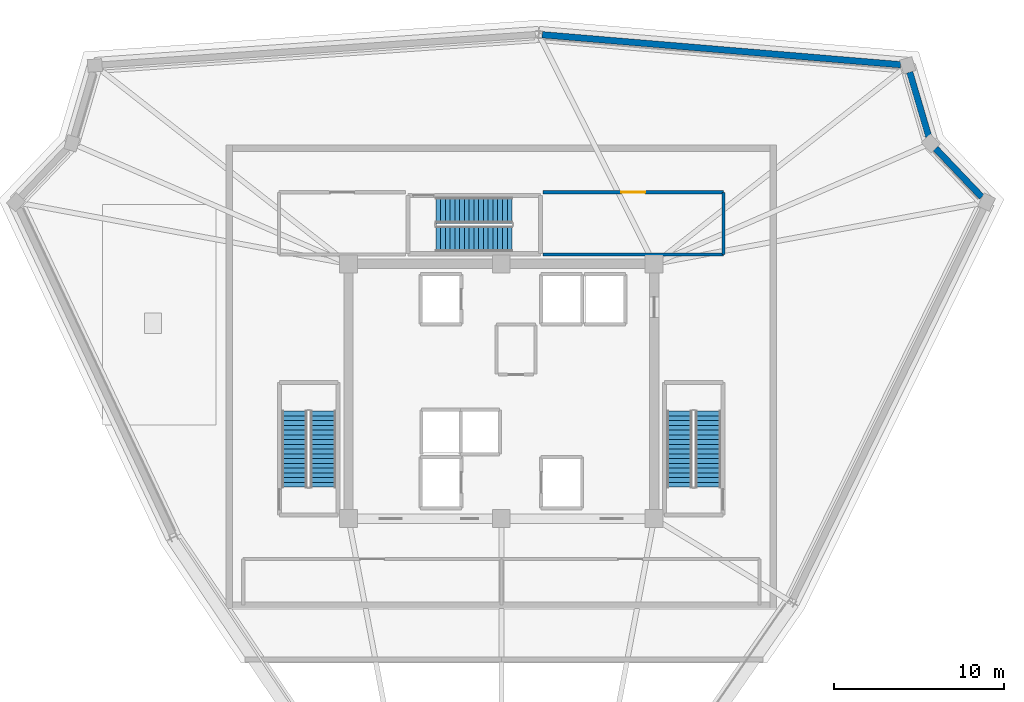
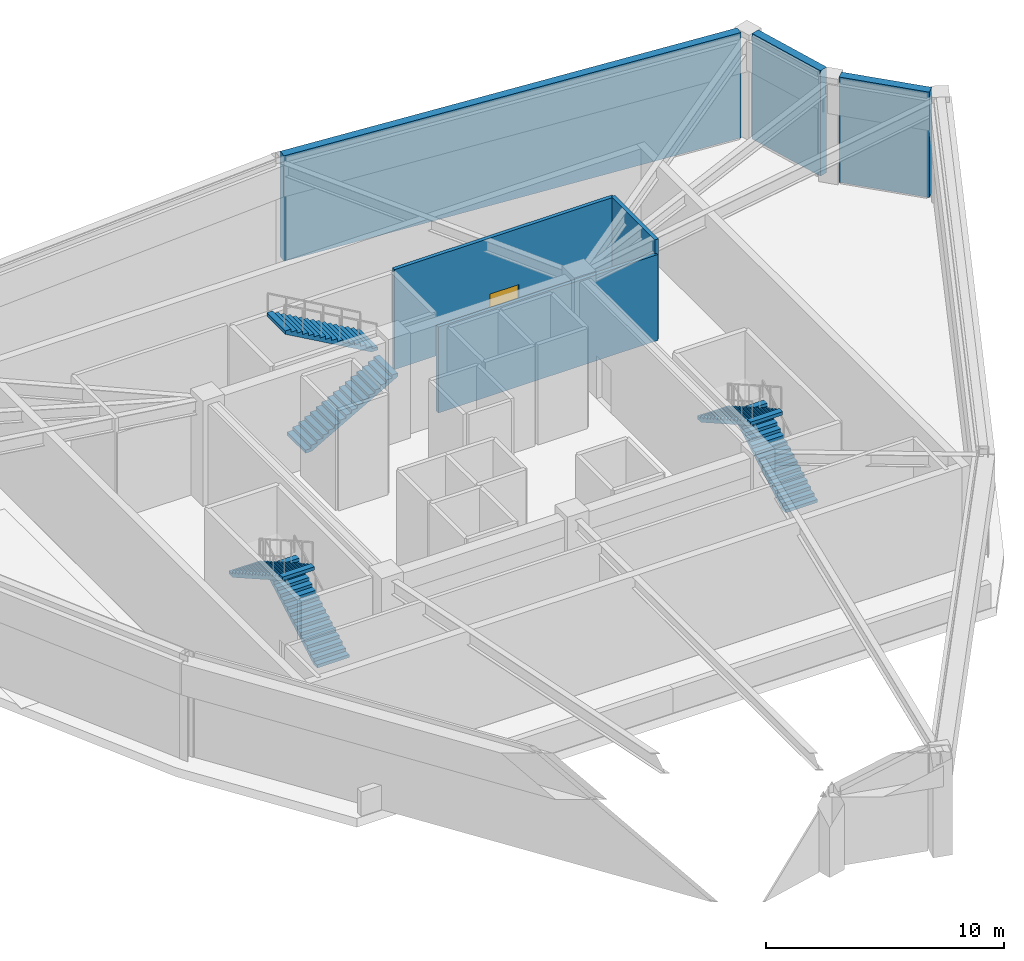
# One storey, part 6 of 8: 6 stair flights, 6 walls, 1 door, 1 opening, 3 elements without a shape of their own.
"""IFC4 building model written with IfcOpenShell, lengths in metres."""

import ifcopenshell
import ifcopenshell.guid

model = None  # the IFC model being written
_history = None  # IfcOwnerHistory: only IFC2X3 demands one
_inside = {}  # id of a spatial element -> (the spatial element, [elements in it])
_under = {}  # id of a project, library or spatial element -> (it, [spatial elements below it])
_declared = {}  # id of a project -> (the project, [libraries it declares])
_typed = {}  # id of a type object -> (the type object, [elements of that type])
_made_of = {}  # id of a material, layer set ... -> (it, [elements and type objects made of it])


def new_model(schema):
    """Start an empty IFC model of exactly this schema.

    Asked for "IFC4X3", IfcOpenShell would pick the latest addendum, in which some entities
    have other attributes; the version numbers below select the first issue.
    IFC2X3 requires an IfcOwnerHistory on every rooted entity: one is made here for all.
    """
    global model, _history
    if schema == "IFC4X3":
        model = ifcopenshell.file(schema_version=(4, 3, 0, 0))
    else:
        model = ifcopenshell.file(schema=schema)
    _inside.clear()
    _under.clear()
    _declared.clear()
    _typed.clear()
    _made_of.clear()
    _history = None
    if model.schema == "IFC2X3":
        org = make("IfcOrganization", Name="unknown")
        user = make(
            "IfcPersonAndOrganization",
            ThePerson=make("IfcPerson", FamilyName="unknown"),
            TheOrganization=org,
        )
        app = make(
            "IfcApplication",
            ApplicationDeveloper=org,
            Version="unknown",
            ApplicationFullName="unknown",
            ApplicationIdentifier="unknown",
        )
        _history = make(
            "IfcOwnerHistory",
            OwningUser=user,
            OwningApplication=app,
            ChangeAction="ADDED",
            CreationDate=0,
        )
    return model


def make(cls, **values):
    """One entity of the class cls with the attributes given. An attribute that is None is left unset."""
    return model.create_entity(
        cls, **{name: value for name, value in values.items() if value is not None}
    )


def rooted(cls, **values):
    """An entity with a GlobalId (a new one), such as an element, a storey or a relation."""
    return make(cls, GlobalId=ifcopenshell.guid.new(), OwnerHistory=_history, **values)


def si_unit(unit_type, name, prefix=None):
    """IfcSIUnit, for example si_unit("LENGTHUNIT", "METRE", prefix="MILLI")."""
    return make("IfcSIUnit", UnitType=unit_type, Prefix=prefix, Name=name)


def assignment(units):
    """IfcUnitAssignment: the units of a project."""
    return None if units is None else make("IfcUnitAssignment", Units=units)


def point(xyz):
    """IfcCartesianPoint."""
    return None if xyz is None else make("IfcCartesianPoint", Coordinates=xyz)


def direction(xyz):
    """IfcDirection."""
    return None if xyz is None else make("IfcDirection", DirectionRatios=xyz)


def frame(location, z_axis=None, x_axis=None):
    """IfcAxis2Placement3D, a coordinate frame: its origin and axes. An axis left out is left unset."""
    return make(
        "IfcAxis2Placement3D",
        Location=point(location),
        Axis=direction(z_axis),
        RefDirection=direction(x_axis),
    )


def frame_2d(location, x_axis=None):
    """IfcAxis2Placement2D, a coordinate frame in the plane: its origin and x axis."""
    return make(
        "IfcAxis2Placement2D", Location=point(location), RefDirection=direction(x_axis)
    )


def origin():
    """The frame at (0, 0, 0) with its axes left unset."""
    return frame((0.0, 0.0, 0.0))


def place(relative_to, where):
    """IfcLocalPlacement: puts the frame where relative to a parent placement (None: the world)."""
    return make(
        "IfcLocalPlacement", PlacementRelTo=relative_to, RelativePlacement=where
    )


def context(
    kind, dimensions, precision=None, world=None, true_north=None, identifier=None
):
    """IfcGeometricRepresentationContext, for example the 3D "Model" context."""
    return make(
        "IfcGeometricRepresentationContext",
        ContextIdentifier=identifier,
        ContextType=kind,
        CoordinateSpaceDimension=dimensions,
        Precision=precision,
        WorldCoordinateSystem=world,
        TrueNorth=true_north,
    )


def subcontext(parent, identifier, kind, view, scale=None):
    """IfcGeometricRepresentationSubContext, for example "Body" below "Model"."""
    return make(
        "IfcGeometricRepresentationSubContext",
        ContextIdentifier=identifier,
        ContextType=kind,
        ParentContext=parent,
        TargetScale=scale,
        TargetView=view,
    )


def project(units=None, contexts=None):
    """IfcProject with its units and contexts."""
    return rooted(
        "IfcProject",
        Name="project",
        RepresentationContexts=contexts,
        UnitsInContext=assignment(units),
    )


def spatial(cls, under=None, at=None, **own):
    """A site, building, storey or space (cls), placed at a placement, below another one or the project."""
    s = rooted(cls, ObjectPlacement=at, **own)
    if under is not None:
        _under.setdefault(under.id(), (under, []))[1].append(s)
    return s


def polyline(points):
    """IfcPolyline through the points."""
    return make("IfcPolyline", Points=[point(p) for p in points])


def profile(cls, at=None, kind="AREA", **sizes):
    """A parametric profile (cls). Its sizes go by their IFC names, for example OverallWidth=200.0."""
    return make(cls, ProfileType=kind, Position=at, **sizes)


def rectangle(**sizes):
    """IfcRectangleProfileDef."""
    return profile("IfcRectangleProfileDef", **sizes)


def outline(outer, holes=None, kind="AREA"):
    """IfcArbitraryClosedProfileDef: a profile drawn as a closed curve; with holes, ...WithVoids."""
    if holes is None:
        return make("IfcArbitraryClosedProfileDef", ProfileType=kind, OuterCurve=outer)
    return make(
        "IfcArbitraryProfileDefWithVoids",
        ProfileType=kind,
        OuterCurve=outer,
        InnerCurves=holes,
    )


def extrude(swept, where, along, depth):
    """IfcExtrudedAreaSolid: the profile swept, set in the frame where, extruded along a direction by depth."""
    return make(
        "IfcExtrudedAreaSolid",
        SweptArea=swept,
        Position=where,
        ExtrudedDirection=direction(along),
        Depth=depth,
    )


def shape(context_of_items, identifier, shape_type, items):
    """IfcShapeRepresentation: the items that make up one representation, for example the "Body"."""
    return make(
        "IfcShapeRepresentation",
        ContextOfItems=context_of_items,
        RepresentationIdentifier=identifier,
        RepresentationType=shape_type,
        Items=items,
    )


def source(mapping_origin, context_of_items, identifier, shape_type, items):
    """IfcRepresentationMap: a shape defined once, which mapped items show again and again."""
    return make(
        "IfcRepresentationMap",
        MappingOrigin=mapping_origin,
        MappedRepresentation=shape(context_of_items, identifier, shape_type, items),
    )


def transform(
    local_origin,
    x_axis=None,
    y_axis=None,
    z_axis=None,
    scale=None,
    scale2=None,
    scale3=None,
    uniform=True,
):
    """IfcCartesianTransformationOperator3D, or its non-uniform kind. x_axis, y_axis, z_axis: its Axis1, 2, 3."""
    if uniform:
        return make(
            "IfcCartesianTransformationOperator3D",
            Axis1=direction(x_axis),
            Axis2=direction(y_axis),
            LocalOrigin=point(local_origin),
            Scale=scale,
            Axis3=direction(z_axis),
        )
    return make(
        "IfcCartesianTransformationOperator3DnonUniform",
        Axis1=direction(x_axis),
        Axis2=direction(y_axis),
        LocalOrigin=point(local_origin),
        Scale=scale,
        Axis3=direction(z_axis),
        Scale2=scale2,
        Scale3=scale3,
    )


def mapped(mapping_source, mapping_target):
    """IfcMappedItem: shows the shape of a source again, moved by a transform."""
    return make(
        "IfcMappedItem", MappingSource=mapping_source, MappingTarget=mapping_target
    )


def material(Name=None, Category=None):
    """IfcMaterial."""
    return make("IfcMaterial", Name=Name, Category=Category)


def layer(
    of_material, thickness, ventilated=None, Name=None, Category=None, Priority=None
):
    """IfcMaterialLayer: one layer of a wall or slab, of a material (None: an air gap)."""
    return make(
        "IfcMaterialLayer",
        Material=of_material,
        LayerThickness=thickness,
        IsVentilated=ventilated,
        Name=Name,
        Category=Category,
        Priority=Priority,
    )


def layer_set(layers, Name=None):
    """IfcMaterialLayerSet."""
    return make("IfcMaterialLayerSet", MaterialLayers=layers, LayerSetName=Name)


def made_of(thing, what):
    """Note that an element or type object is made of a material, layer set ...; save() writes the relation."""
    if what is not None:
        _made_of.setdefault(what.id(), (what, []))[1].append(thing)
    return thing


def type_object(cls, material=None, **own):
    """A type object (cls), such as IfcWallType, which elements share."""
    return made_of(rooted(cls, **own), material)


def element(
    cls,
    number,
    at=None,
    inside=None,
    cuts=None,
    type_object=None,
    material=None,
    context=None,
    identifier="Body",
    shape_type=None,
    held_by="IfcProductDefinitionShape",
    body=None,
    shapes=None,
    **own,
):
    """One element of the class cls, such as IfcWall. Its Tag is "e" and its number.

    at: its placement. inside: the storey or other place that contains it. cuts: it is an
    opening in that element (IfcRelVoidsElement). A single representation is given by context,
    identifier, shape_type and body (its items); several are given by shapes. held_by: the class
    of the entity that holds the representations. save() writes the other relations.
    """
    e = rooted(cls, Tag="e%d" % number, ObjectPlacement=at, **own)
    if body is not None:
        shapes = [shape(context, identifier, shape_type, body)]
    if shapes is not None:
        e.Representation = make(held_by, Representations=shapes)
    if inside is not None:
        _inside.setdefault(inside.id(), (inside, []))[1].append(e)
    if cuts is not None:
        rooted(
            "IfcRelVoidsElement", RelatingBuildingElement=cuts, RelatedOpeningElement=e
        )
    if type_object is not None:
        _typed.setdefault(type_object.id(), (type_object, []))[1].append(e)
    return made_of(e, material)


def fill(opening, filler):
    """IfcRelFillsElement: the door or window that sits in an opening."""
    return rooted(
        "IfcRelFillsElement",
        RelatingOpeningElement=opening,
        RelatedBuildingElement=filler,
    )


def aggregate(whole, parts):
    """IfcRelAggregates: a whole, such as a stair, and the parts it consists of."""
    return rooted("IfcRelAggregates", RelatingObject=whole, RelatedObjects=parts)


def save(model, path):
    """Write the relations noted so far, then the file.

    IfcRelAggregates (storeys below a building ...), IfcRelContainedInSpatialStructure (elements
    in a storey), IfcRelDefinesByType, IfcRelAssociatesMaterial and IfcRelDeclares: one each for
    every whole, place, type object, material and project.
    """
    for whole, parts in _under.values():
        aggregate(whole, parts)
    for where, things in _inside.values():
        rooted(
            "IfcRelContainedInSpatialStructure",
            RelatedElements=things,
            RelatingStructure=where,
        )
    for kind, things in _typed.values():
        rooted("IfcRelDefinesByType", RelatedObjects=things, RelatingType=kind)
    for what, things in _made_of.values():
        rooted("IfcRelAssociatesMaterial", RelatedObjects=things, RelatingMaterial=what)
    for by, libraries in _declared.values():
        rooted("IfcRelDeclares", RelatingContext=by, RelatedDefinitions=libraries)
    model.write(path)


model = new_model("IFC4")

# Units and contexts
model_context = context("Model", 3, precision=1e-05, world=origin(), true_north=direction((0.0, 1.0)))
body_context = subcontext(model_context, "Body", "Model", "MODEL_VIEW")
ifc_project = project(units=[si_unit("LENGTHUNIT", "METRE"), si_unit("AREAUNIT", "SQUARE_METRE"), si_unit("VOLUMEUNIT", "CUBIC_METRE"), si_unit("PLANEANGLEUNIT", "RADIAN"), si_unit("MASSUNIT", "GRAM", prefix="KILO")], contexts=[model_context])

# Site, building, storey
site_placement = place(None, origin())
site = spatial("IfcSite", under=ifc_project, at=site_placement, CompositionType="ELEMENT")
building_placement = place(site_placement, origin())
building = spatial("IfcBuilding", under=site, at=building_placement, Name="Liaohun Quay Tower", CompositionType="ELEMENT")
storey_placement = place(building_placement, frame((0.0, 0.0, 360.60009765625)))
storey = spatial("IfcBuildingStorey", under=building, at=storey_placement, Name="L93", CompositionType="ELEMENT", Elevation=360.60009765625)

# Walls
ifc_material_1 = material(Name="Precast concrete C50 insulated sandwich", Category="concrete")
ifc_layer_1 = layer(ifc_material_1, 0.3798828125, Name="Precast concrete C50 insulated sandwich", Category="concrete")
ifc_layer_set_1 = layer_set([ifc_layer_1], Name="Precast concrete C50 insulated sandwich")
wall_type_1 = type_object("IfcWallType", Name="WAL-EXT-Z34", PredefinedType="SOLIDWALL", material=ifc_layer_set_1)
wall_1_placement = place(storey_placement, frame((88.297119140625, 65.43798828125, 0.0), z_axis=(0.0, 0.0, 1.0), x_axis=(-0.689429800436, 0.724352504152, 0.0)))
element("IfcWall", 1, at=wall_1_placement, inside=storey, type_object=wall_type_1, Name="L93 Crown Precast Enclosure Wall 04", PredefinedType="SOLIDWALL", context=body_context, shape_type="SweptSolid", body=[
    extrude(rectangle(XDim=3.949951171875, YDim=0.3798828125, at=frame_2d((1.97509765625, 0.0))), origin(), (0.0, 0.0, 1.0), 5.39990234375),
])
wall_2_placement = place(storey_placement, frame((85.1708984375, 68.998046875, 0.0), z_axis=(0.0, 0.0, 1.0), x_axis=(-0.282830565061, 0.959169886656, 0.0)))
element("IfcWall", 2, at=wall_2_placement, inside=storey, type_object=wall_type_1, Name="L93 Crown Precast Enclosure Wall 05", PredefinedType="SOLIDWALL", context=body_context, shape_type="SweptSolid", body=[
    extrude(rectangle(XDim=3.95947265625, YDim=0.3798828125, at=frame_2d((1.979736328125, 0.0))), origin(), (0.0, 0.0, 1.0), 5.39990234375),
])
wall_3_placement = place(storey_placement, frame((83.52001953125, 73.22900390625, 0.0), z_axis=(0.0, 0.0, 1.0), x_axis=(-0.996514770926, 0.083416493136, 0.0)))
element("IfcWall", 3, at=wall_3_placement, inside=storey, type_object=wall_type_1, Name="L93 Crown Precast Enclosure Wall 06", PredefinedType="SOLIDWALL", context=body_context, shape_type="SweptSolid", body=[
    extrude(rectangle(XDim=21.183837890625, YDim=0.3798828125, at=frame_2d((10.591796875, 0.0))), origin(), (0.0, 0.0, 1.0), 5.39990234375),
])

# Wall, opening, door
ifc_material_2 = material(Name="Autoclaved aerated concrete blockwork", Category="masonry")
ifc_layer_2 = layer(ifc_material_2, 0.179931640625, Name="Autoclaved aerated concrete blockwork", Category="masonry")
ifc_layer_set_2 = layer_set([ifc_layer_2], Name="Autoclaved aerated concrete blockwork")
wall_type_2 = type_object("IfcWallType", Name="WAL-PRT-COR", PredefinedType="PARTITIONING", material=ifc_layer_set_2)
wall_4_placement = place(storey_placement, frame((62.449951171875, 65.719970703125, 0.0), z_axis=(0.0, 0.0, 1.0), x_axis=(1.0, 0.0, 0.0)))
wall_4 = element("IfcWall", 4, at=wall_4_placement, inside=storey, type_object=wall_type_2, Name="L93 Interior Partition Wall 005", PredefinedType="PARTITIONING", context=body_context, shape_type="SweptSolid", body=[
    extrude(rectangle(XDim=10.630126953125, YDim=0.179931640625, at=frame_2d((5.31494140625, 0.0))), origin(), (0.0, 0.0, 1.0), 5.119873046875),
])
shared_shape_1 = source(origin(), body_context, "Body", "SweptSolid", [
    extrude(rectangle(XDim=1.39990234375, YDim=2.25, at=frame_2d((0.699951171875, 1.125))), frame((0.0, 0.099853515625, 0.0), z_axis=(0.0, -1.0, 0.0), x_axis=(1.0, 0.0, 0.0)), (0.0, 0.0, 1.0), 0.199951171875),
])
opening_placement = place(wall_4_placement, frame((4.614990234375, 0.0, 0.0)))
opening = element("IfcOpeningElement", 5, at=opening_placement, cuts=wall_4, Name="Opening MD1", PredefinedType="OPENING", context=body_context, shape_type="MappedRepresentation", body=[
    mapped(shared_shape_1, transform((0.0, 0.0, 0.0), x_axis=(1.0, 0.0, 0.0), y_axis=(0.0, 1.0, 0.0), z_axis=(0.0, 0.0, 1.0), scale=1.0)),
])
ifc_material_3 = material(Name="Insulated steel plant room door", Category="steel")
door_type = type_object("IfcDoorType", Name="DOR-MEP-1400", OperationType="DOUBLE_DOOR_SINGLE_SWING", PredefinedType="DOOR", material=ifc_material_3)
shared_shape_2 = source(origin(), body_context, "Body", "SweptSolid", [
    extrude(rectangle(XDim=1.39990234375, YDim=2.25, at=frame_2d((0.699951171875, 1.125))), frame((0.0, 0.02490234375, 0.0), z_axis=(0.0, -1.0, 0.0), x_axis=(1.0, 0.0, 0.0)), (0.0, 0.0, 1.0), 0.050048828125),
])
door_placement = place(opening_placement, origin())
door = element("IfcDoor", 6, at=door_placement, inside=storey, type_object=door_type, Name="L93 Crown Transformer and Switchgear Room Door", OperationType="DOUBLE_DOOR_SINGLE_SWING", OverallHeight=2.25, OverallWidth=1.39990234375, PredefinedType="DOOR", context=body_context, shape_type="MappedRepresentation", body=[
    mapped(shared_shape_2, transform((0.0, 0.0, 0.0), x_axis=(1.0, 0.0, 0.0), y_axis=(0.0, 1.0, 0.0), z_axis=(0.0, 0.0, 1.0), scale=1.0)),
])
fill(opening, door)

# Walls
wall_5_placement = place(storey_placement, frame((62.449951171875, 62.050048828125, 0.0), z_axis=(0.0, 0.0, 1.0), x_axis=(1.0, 0.0, 0.0)))
element("IfcWall", 7, at=wall_5_placement, inside=storey, type_object=wall_type_2, Name="L93 Interior Partition Wall 011", PredefinedType="PARTITIONING", context=body_context, shape_type="SweptSolid", body=[
    extrude(rectangle(XDim=10.630126953125, YDim=0.179931640625, at=frame_2d((5.31494140625, 0.0))), origin(), (0.0, 0.0, 1.0), 4.40478515625),
])
wall_6_placement = place(storey_placement, frame((73.080078125, 62.050048828125, 0.0), z_axis=(0.0, 0.0, 1.0), x_axis=(0.0, 1.0, 0.0)))
element("IfcWall", 8, at=wall_6_placement, inside=storey, type_object=wall_type_2, Name="L93 Interior Partition Wall 015", PredefinedType="PARTITIONING", context=body_context, shape_type="SweptSolid", body=[
    extrude(rectangle(XDim=3.669921875, YDim=0.179931640625, at=frame_2d((1.8349609375, 0.0))), origin(), (0.0, 0.0, 1.0), 5.119873046875),
])

# Stair, stair flights
ifc_material_4 = material(Name="Concrete C45", Category="concrete")
stair_type = type_object("IfcStairType", Name="STR-CORE-CRN", PredefinedType="HALF_TURN_STAIR", material=ifc_material_4)
stair_1_placement = place(storey_placement, origin())
stair_1 = element("IfcStair", 9, at=stair_1_placement, inside=storey, type_object=stair_type, Name="L93 Smokeproof Core Exit Stair ST-1", PredefinedType="HALF_TURN_STAIR")
stair_flight_type = type_object("IfcStairFlightType", Name="FLT-CORE-155", PredefinedType="STRAIGHT", material=ifc_material_4)
stair_flight_1_placement = place(storey_placement, frame((49.5048828125, 48.35009765625, 0.0), z_axis=(0.0, 0.0, 1.0), x_axis=(0.0, 1.0, 0.0)))
stair_flight_1 = element("IfcStairFlight", 10, at=stair_flight_1_placement, type_object=stair_flight_type, Name="ST-1 flight 1", NumberOfRisers=17, NumberOfTreads=16, PredefinedType="STRAIGHT", RiserHeight=0.158823529, TreadLength=0.28, context=body_context, shape_type="SweptSolid", body=[
    extrude(outline(polyline([(0.0, 0.0), (0.0, 0.158935546875), (0.280029296875, 0.158935546875), (0.280029296875, 0.317626953125), (0.56005859375, 0.317626953125), (0.56005859375, 0.4765625), (0.840087890625, 0.4765625), (0.840087890625, 0.63525390625), (1.1201171875, 0.63525390625), (1.1201171875, 0.794189453125), (1.39990234375, 0.794189453125), (1.39990234375, 0.952880859375), (1.679931640625, 0.952880859375), (1.679931640625, 1.11181640625), (1.9599609375, 1.11181640625), (1.9599609375, 1.2705078125), (2.239990234375, 1.2705078125), (2.239990234375, 1.429443359375), (2.52001953125, 1.429443359375), (2.52001953125, 1.588134765625), (2.800048828125, 1.588134765625), (2.800048828125, 1.7470703125), (3.080078125, 1.7470703125), (3.080078125, 1.90576171875), (3.360107421875, 1.90576171875), (3.360107421875, 2.064697265625), (3.639892578125, 2.064697265625), (3.639892578125, 2.2236328125), (3.919921875, 2.2236328125), (3.919921875, 2.38232421875), (4.199951171875, 2.38232421875), (4.199951171875, 2.541259765625), (4.47998046875, 2.541259765625), (4.47998046875, 2.699951171875), (4.47998046875, 2.368896484375), (0.3037109375, 0.0), (0.0, 0.0)])), frame((0.0, 0.77490234375, 0.0), z_axis=(0.0, -1.0, 0.0), x_axis=(1.0, 0.0, 0.0)), (0.0, 0.0, 1.0), 1.550048828125),
])
stair_flight_2_placement = place(storey_placement, frame((47.81494140625, 52.830078125, 2.699951171875), z_axis=(0.0, 0.0, 1.0), x_axis=(0.0, -1.0, 0.0)))
stair_flight_2 = element("IfcStairFlight", 11, at=stair_flight_2_placement, type_object=stair_flight_type, Name="ST-1 flight 2", NumberOfRisers=17, NumberOfTreads=16, PredefinedType="STRAIGHT", RiserHeight=0.158823529, TreadLength=0.28, context=body_context, shape_type="SweptSolid", body=[
    extrude(outline(polyline([(0.0, 0.0), (0.0, 0.158935546875), (0.280029296875, 0.158935546875), (0.280029296875, 0.317626953125), (0.56005859375, 0.317626953125), (0.56005859375, 0.4765625), (0.840087890625, 0.4765625), (0.840087890625, 0.63525390625), (1.1201171875, 0.63525390625), (1.1201171875, 0.794189453125), (1.39990234375, 0.794189453125), (1.39990234375, 0.952880859375), (1.679931640625, 0.952880859375), (1.679931640625, 1.11181640625), (1.9599609375, 1.11181640625), (1.9599609375, 1.2705078125), (2.239990234375, 1.2705078125), (2.239990234375, 1.429443359375), (2.52001953125, 1.429443359375), (2.52001953125, 1.588134765625), (2.800048828125, 1.588134765625), (2.800048828125, 1.7470703125), (3.080078125, 1.7470703125), (3.080078125, 1.90576171875), (3.360107421875, 1.90576171875), (3.360107421875, 2.064697265625), (3.639892578125, 2.064697265625), (3.639892578125, 2.2236328125), (3.919921875, 2.2236328125), (3.919921875, 2.38232421875), (4.199951171875, 2.38232421875), (4.199951171875, 2.541259765625), (4.47998046875, 2.541259765625), (4.47998046875, 2.699951171875), (4.47998046875, 2.368896484375), (0.3037109375, 0.0), (0.0, 0.0)])), frame((0.0, 0.77490234375, 0.0), z_axis=(0.0, -1.0, 0.0), x_axis=(1.0, 0.0, 0.0)), (0.0, 0.0, 1.0), 1.550048828125),
])
aggregate(stair_1, [stair_flight_1, stair_flight_2])

stair_2_placement = place(storey_placement, origin())
stair_2 = element("IfcStair", 12, at=stair_2_placement, inside=storey, type_object=stair_type, Name="L93 Smokeproof Core Exit Stair ST-2", PredefinedType="HALF_TURN_STAIR")
stair_flight_3_placement = place(storey_placement, frame((72.18505859375, 48.35009765625, 0.0), z_axis=(0.0, 0.0, 1.0), x_axis=(0.0, 1.0, 0.0)))
stair_flight_3 = element("IfcStairFlight", 13, at=stair_flight_3_placement, type_object=stair_flight_type, Name="ST-2 flight 1", NumberOfRisers=17, NumberOfTreads=16, PredefinedType="STRAIGHT", RiserHeight=0.158823529, TreadLength=0.28, context=body_context, shape_type="SweptSolid", body=[
    extrude(outline(polyline([(0.0, 0.0), (0.0, 0.158935546875), (0.280029296875, 0.158935546875), (0.280029296875, 0.317626953125), (0.56005859375, 0.317626953125), (0.56005859375, 0.4765625), (0.840087890625, 0.4765625), (0.840087890625, 0.63525390625), (1.1201171875, 0.63525390625), (1.1201171875, 0.794189453125), (1.39990234375, 0.794189453125), (1.39990234375, 0.952880859375), (1.679931640625, 0.952880859375), (1.679931640625, 1.11181640625), (1.9599609375, 1.11181640625), (1.9599609375, 1.2705078125), (2.239990234375, 1.2705078125), (2.239990234375, 1.429443359375), (2.52001953125, 1.429443359375), (2.52001953125, 1.588134765625), (2.800048828125, 1.588134765625), (2.800048828125, 1.7470703125), (3.080078125, 1.7470703125), (3.080078125, 1.90576171875), (3.360107421875, 1.90576171875), (3.360107421875, 2.064697265625), (3.639892578125, 2.064697265625), (3.639892578125, 2.2236328125), (3.919921875, 2.2236328125), (3.919921875, 2.38232421875), (4.199951171875, 2.38232421875), (4.199951171875, 2.541259765625), (4.47998046875, 2.541259765625), (4.47998046875, 2.699951171875), (4.47998046875, 2.368896484375), (0.3037109375, 0.0), (0.0, 0.0)])), frame((0.0, 0.77490234375, 0.0), z_axis=(0.0, -1.0, 0.0), x_axis=(1.0, 0.0, 0.0)), (0.0, 0.0, 1.0), 1.550048828125),
])
stair_flight_4_placement = place(storey_placement, frame((70.4951171875, 52.830078125, 2.699951171875), z_axis=(0.0, 0.0, 1.0), x_axis=(0.0, -1.0, 0.0)))
stair_flight_4 = element("IfcStairFlight", 14, at=stair_flight_4_placement, type_object=stair_flight_type, Name="ST-2 flight 2", NumberOfRisers=17, NumberOfTreads=16, PredefinedType="STRAIGHT", RiserHeight=0.158823529, TreadLength=0.28, context=body_context, shape_type="SweptSolid", body=[
    extrude(outline(polyline([(0.0, 0.0), (0.0, 0.158935546875), (0.280029296875, 0.158935546875), (0.280029296875, 0.317626953125), (0.56005859375, 0.317626953125), (0.56005859375, 0.4765625), (0.840087890625, 0.4765625), (0.840087890625, 0.63525390625), (1.1201171875, 0.63525390625), (1.1201171875, 0.794189453125), (1.39990234375, 0.794189453125), (1.39990234375, 0.952880859375), (1.679931640625, 0.952880859375), (1.679931640625, 1.11181640625), (1.9599609375, 1.11181640625), (1.9599609375, 1.2705078125), (2.239990234375, 1.2705078125), (2.239990234375, 1.429443359375), (2.52001953125, 1.429443359375), (2.52001953125, 1.588134765625), (2.800048828125, 1.588134765625), (2.800048828125, 1.7470703125), (3.080078125, 1.7470703125), (3.080078125, 1.90576171875), (3.360107421875, 1.90576171875), (3.360107421875, 2.064697265625), (3.639892578125, 2.064697265625), (3.639892578125, 2.2236328125), (3.919921875, 2.2236328125), (3.919921875, 2.38232421875), (4.199951171875, 2.38232421875), (4.199951171875, 2.541259765625), (4.47998046875, 2.541259765625), (4.47998046875, 2.699951171875), (4.47998046875, 2.368896484375), (0.3037109375, 0.0), (0.0, 0.0)])), frame((0.0, 0.77490234375, 0.0), z_axis=(0.0, -1.0, 0.0), x_axis=(1.0, 0.0, 0.0)), (0.0, 0.0, 1.0), 1.550048828125),
])
aggregate(stair_2, [stair_flight_3, stair_flight_4])

stair_3_placement = place(storey_placement, origin())
stair_3 = element("IfcStair", 15, at=stair_3_placement, inside=storey, type_object=stair_type, Name="L93 Smokeproof Core Exit Stair ST-3", PredefinedType="HALF_TURN_STAIR")
stair_flight_5_placement = place(storey_placement, frame((56.14990234375, 62.97509765625, 0.0), z_axis=(0.0, 0.0, 1.0), x_axis=(1.0, 0.0, 0.0)))
stair_flight_5 = element("IfcStairFlight", 16, at=stair_flight_5_placement, type_object=stair_flight_type, Name="ST-3 flight 1", NumberOfRisers=17, NumberOfTreads=16, PredefinedType="STRAIGHT", RiserHeight=0.158823529, TreadLength=0.28, context=body_context, shape_type="SweptSolid", body=[
    extrude(outline(polyline([(0.0, 0.0), (0.0, 0.158935546875), (0.280029296875, 0.158935546875), (0.280029296875, 0.317626953125), (0.56005859375, 0.317626953125), (0.56005859375, 0.4765625), (0.840087890625, 0.4765625), (0.840087890625, 0.63525390625), (1.1201171875, 0.63525390625), (1.1201171875, 0.794189453125), (1.39990234375, 0.794189453125), (1.39990234375, 0.952880859375), (1.679931640625, 0.952880859375), (1.679931640625, 1.11181640625), (1.9599609375, 1.11181640625), (1.9599609375, 1.2705078125), (2.239990234375, 1.2705078125), (2.239990234375, 1.429443359375), (2.52001953125, 1.429443359375), (2.52001953125, 1.588134765625), (2.800048828125, 1.588134765625), (2.800048828125, 1.7470703125), (3.080078125, 1.7470703125), (3.080078125, 1.90576171875), (3.360107421875, 1.90576171875), (3.360107421875, 2.064697265625), (3.639892578125, 2.064697265625), (3.639892578125, 2.2236328125), (3.919921875, 2.2236328125), (3.919921875, 2.38232421875), (4.199951171875, 2.38232421875), (4.199951171875, 2.541259765625), (4.47998046875, 2.541259765625), (4.47998046875, 2.699951171875), (4.47998046875, 2.368896484375), (0.3037109375, 0.0), (0.0, 0.0)])), frame((0.0, 0.77490234375, 0.0), z_axis=(0.0, -1.0, 0.0), x_axis=(1.0, 0.0, 0.0)), (0.0, 0.0, 1.0), 1.550048828125),
])
stair_flight_6_placement = place(storey_placement, frame((60.6298828125, 64.6650390625, 2.699951171875), z_axis=(0.0, 0.0, 1.0), x_axis=(-1.0, 0.0, 0.0)))
stair_flight_6 = element("IfcStairFlight", 17, at=stair_flight_6_placement, type_object=stair_flight_type, Name="ST-3 flight 2", NumberOfRisers=17, NumberOfTreads=16, PredefinedType="STRAIGHT", RiserHeight=0.158823529, TreadLength=0.28, context=body_context, shape_type="SweptSolid", body=[
    extrude(outline(polyline([(0.0, 0.0), (0.0, 0.158935546875), (0.280029296875, 0.158935546875), (0.280029296875, 0.317626953125), (0.56005859375, 0.317626953125), (0.56005859375, 0.4765625), (0.840087890625, 0.4765625), (0.840087890625, 0.63525390625), (1.1201171875, 0.63525390625), (1.1201171875, 0.794189453125), (1.39990234375, 0.794189453125), (1.39990234375, 0.952880859375), (1.679931640625, 0.952880859375), (1.679931640625, 1.11181640625), (1.9599609375, 1.11181640625), (1.9599609375, 1.2705078125), (2.239990234375, 1.2705078125), (2.239990234375, 1.429443359375), (2.52001953125, 1.429443359375), (2.52001953125, 1.588134765625), (2.800048828125, 1.588134765625), (2.800048828125, 1.7470703125), (3.080078125, 1.7470703125), (3.080078125, 1.90576171875), (3.360107421875, 1.90576171875), (3.360107421875, 2.064697265625), (3.639892578125, 2.064697265625), (3.639892578125, 2.2236328125), (3.919921875, 2.2236328125), (3.919921875, 2.38232421875), (4.199951171875, 2.38232421875), (4.199951171875, 2.541259765625), (4.47998046875, 2.541259765625), (4.47998046875, 2.699951171875), (4.47998046875, 2.368896484375), (0.3037109375, 0.0), (0.0, 0.0)])), frame((0.0, 0.77490234375, 0.0), z_axis=(0.0, -1.0, 0.0), x_axis=(1.0, 0.0, 0.0)), (0.0, 0.0, 1.0), 1.550048828125),
])
aggregate(stair_3, [stair_flight_5, stair_flight_6])

save(model, "model.ifc")
